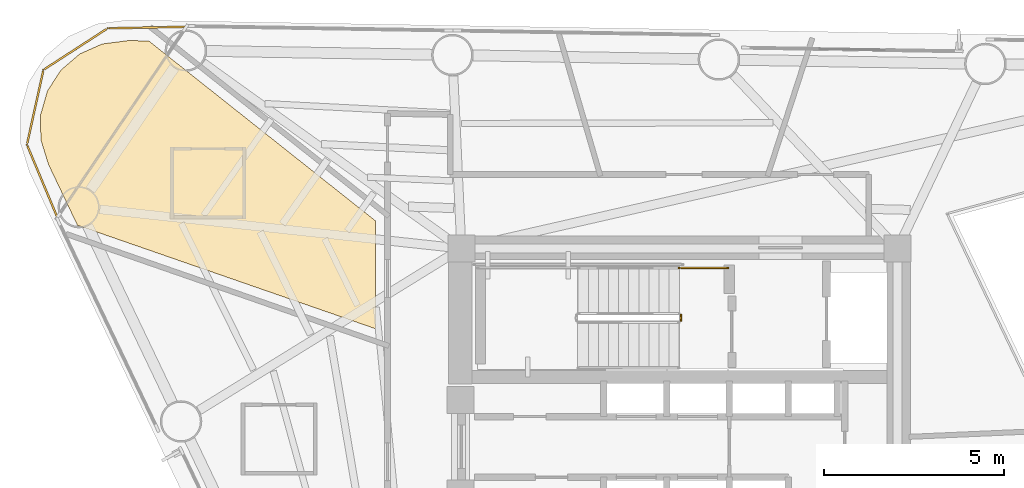
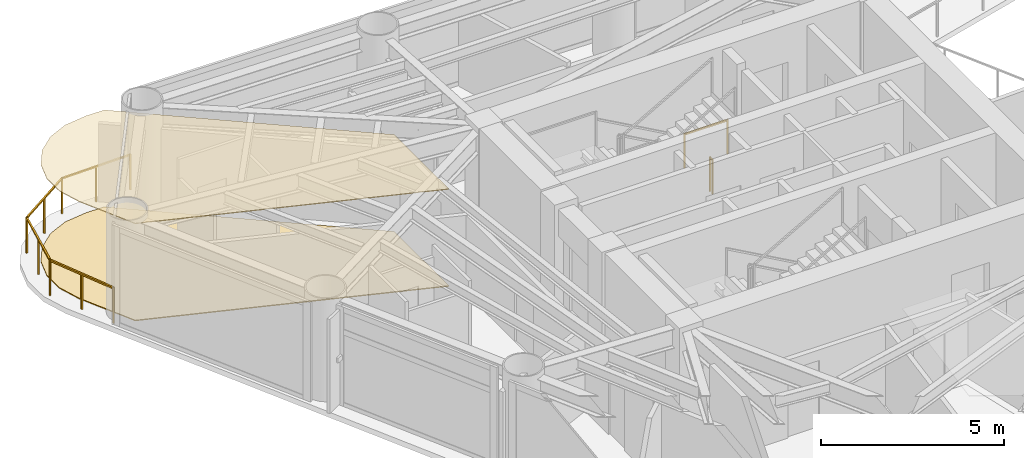
# One storey, part 8 of 9: 3 railings, 2 coverings.
"""IFC4 building model written with IfcOpenShell, lengths in metres."""

from ifc_helpers import new_model, si_unit, direction, frame, origin, origin_2d, place, context, subcontext, project, spatial, polyline, rectangle, outline, extrude, material, layer, layer_set, type_object, element, save


model = new_model("IFC4")

# Units and contexts
model_context = context("Model", 3, precision=1e-05, world=origin(), true_north=direction((0.0, 1.0)))
body_context = subcontext(model_context, "Body", "Model", "MODEL_VIEW")
ifc_project = project(units=[si_unit("LENGTHUNIT", "METRE"), si_unit("AREAUNIT", "SQUARE_METRE"), si_unit("VOLUMEUNIT", "CUBIC_METRE"), si_unit("PLANEANGLEUNIT", "RADIAN"), si_unit("MASSUNIT", "GRAM", prefix="KILO")], contexts=[model_context])

# Site, building, storey
site_placement = place(None, origin())
site = spatial("IfcSite", under=ifc_project, at=site_placement, CompositionType="ELEMENT")
building_placement = place(site_placement, origin())
building = spatial("IfcBuilding", under=site, at=building_placement, Name="Yunling Apex Tower", CompositionType="ELEMENT")
storey_placement = place(building_placement, frame((0.0, 0.0, 201.800048828125)))
storey = spatial("IfcBuildingStorey", under=building, at=storey_placement, Name="L49", CompositionType="ELEMENT", Elevation=201.800048828125)

# Coverings
ifc_material_1 = material(Name="Acoustic mineral fibre ceiling")
ifc_layer_1 = layer(ifc_material_1, 0.02490234375)
ifc_layer_set_1 = layer_set([ifc_layer_1], Name="Acoustic mineral fibre ceiling")
covering_type_1 = type_object("IfcCoveringType", Name="CV-CLG-1", PredefinedType="CEILING", material=ifc_layer_set_1)
covering_1_placement = place(storey_placement, frame((0.0, 0.0, 3.244873046875)))
element("IfcCovering", 1, at=covering_1_placement, inside=storey, type_object=covering_type_1, Name="CV-CL-SP-L49-GR08", PredefinedType="CEILING", context=body_context, shape_type="SweptSolid", body=[
    extrude(outline(polyline([(-17.527099609375, 9.868408203125), (-17.15576171875, 10.4462890625), (-16.634521484375, 10.8935546875), (-16.007080078125, 11.1728515625), (-15.2841796875, 11.26611328125), (-14.71875, 11.256591796875), (-8.429931640625, 6.26708984375), (-8.429931640625, 3.275390625), (-16.694091796875, 6.144287109375), (-17.495849609375, 7.8251953125), (-17.711181640625, 8.521484375), (-17.717529296875, 9.208251953125), (-17.527099609375, 9.868408203125)])), origin(), (0.0, 0.0, 1.0), 0.025146484375),
])
ifc_material_2 = material(Name="Polished granite stone", Category="masonry")
ifc_layer_2 = layer(ifc_material_2, 0.030029296875)
ifc_layer_set_2 = layer_set([ifc_layer_2], Name="Polished granite stone")
covering_type_2 = type_object("IfcCoveringType", Name="CV-FLR-1", PredefinedType="FLOORING", material=ifc_layer_set_2)
covering_2_placement = place(storey_placement, origin())
element("IfcCovering", 2, at=covering_2_placement, inside=storey, type_object=covering_type_2, Name="CV-FL-SP-L49-GR08", PredefinedType="FLOORING", context=body_context, shape_type="SweptSolid", body=[
    extrude(outline(polyline([(-17.527099609375, 9.868408203125), (-17.15576171875, 10.4462890625), (-16.634521484375, 10.8935546875), (-16.007080078125, 11.1728515625), (-15.2841796875, 11.26611328125), (-14.71875, 11.256591796875), (-8.429931640625, 6.26708984375), (-8.429931640625, 3.275390625), (-16.694091796875, 6.144287109375), (-17.495849609375, 7.8251953125), (-17.711181640625, 8.521484375), (-17.717529296875, 9.208251953125), (-17.527099609375, 9.868408203125)])), origin(), (0.0, 0.0, 1.0), 0.030029296875),
])

# Railings
ifc_material_3 = material(Name="Bronze anodised aluminium", Category="aluminium")
railing_type_1 = type_object("IfcRailingType", Name="RL-BAL-1200", PredefinedType="BALUSTRADE", material=ifc_material_3)
railing_1_placement = place(storey_placement, frame((-17.253662109375, 6.364990234375, 0.0)))
element("IfcRailing", 3, at=railing_1_placement, inside=storey, type_object=railing_type_1, Name="RL-CRNSILL-L49-2", PredefinedType="BALUSTRADE", context=body_context, shape_type="SweptSolid", body=[
    extrude(rectangle(XDim=0.0439453125, YDim=0.0439453125, at=origin_2d()), origin(), (0.0, 0.0, 1.0), 1.199951171875),
    extrude(rectangle(XDim=0.0439453125, YDim=0.0439453125, at=origin_2d()), frame((-0.842529296875, 2.01416015625, 0.0)), (0.0, 0.0, 1.0), 1.199951171875),
    extrude(rectangle(XDim=0.050048828125, YDim=0.050048828125, at=origin_2d()), frame((-0.014892578125, 0.035400390625, 1.1748046875), z_axis=(-0.385901306975, 0.922540070282, 0.0), x_axis=(-0.922540070282, -0.385901306975, 0.0)), (0.0, 0.0, 1.0), 2.106689453125),
    extrude(rectangle(XDim=0.0439453125, YDim=0.0439453125, at=origin_2d()), frame((-0.42138671875, 1.007080078125, 0.0)), (0.0, 0.0, 1.0), 1.14599609375),
    extrude(rectangle(XDim=0.0439453125, YDim=0.0439453125, at=origin_2d()), frame((-0.384521484375, 4.089111328125, 0.0)), (0.0, 0.0, 1.0), 1.199951171875),
    extrude(rectangle(XDim=0.050048828125, YDim=0.050048828125, at=origin_2d()), frame((-0.834228515625, 2.051513671875, 1.1748046875), z_axis=(0.215543386307, 0.976494264509, 0.0), x_axis=(-0.976494264509, 0.215543386307, 0.0)), (0.0, 0.0, 1.0), 2.04833984375),
    extrude(rectangle(XDim=0.0439453125, YDim=0.0439453125, at=origin_2d()), frame((-0.613525390625, 3.0517578125, 0.0)), (0.0, 0.0, 1.0), 1.14599609375),
    extrude(rectangle(XDim=0.0439453125, YDim=0.0439453125, at=origin_2d()), frame((1.393310546875, 5.240234375, 0.0)), (0.0, 0.0, 1.0), 1.199951171875),
    extrude(rectangle(XDim=0.050048828125, YDim=0.050048828125, at=origin_2d()), frame((-0.352294921875, 4.10986328125, 1.1748046875), z_axis=(0.839406208654, 0.543504569322, 0.0), x_axis=(-0.543504569322, 0.839406208654, 0.0)), (0.0, 0.0, 1.0), 2.041259765625),
    extrude(rectangle(XDim=0.0439453125, YDim=0.0439453125, at=origin_2d()), frame((0.50439453125, 4.66455078125, 0.0)), (0.0, 0.0, 1.0), 1.14599609375),
    extrude(rectangle(XDim=0.0439453125, YDim=0.0439453125, at=origin_2d()), frame((3.5771484375, 5.284423828125, 0.0)), (0.0, 0.0, 1.0), 1.199951171875),
    extrude(rectangle(XDim=0.050048828125, YDim=0.050048828125, at=origin_2d()), frame((1.431640625, 5.240966796875, 1.1748046875), z_axis=(0.999795339927, 0.020230626778, 0.0), x_axis=(-0.020230626778, 0.999795339927, 0.0)), (0.0, 0.0, 1.0), 2.107666015625),
    extrude(rectangle(XDim=0.0439453125, YDim=0.0439453125, at=origin_2d()), frame((2.4853515625, 5.26220703125, 0.0)), (0.0, 0.0, 1.0), 1.14599609375),
])
ifc_material_4 = material(Name="Steel Q355B", Category="steel")
railing_type_2 = type_object("IfcRailingType", Name="RL-GRD-1150", PredefinedType="GUARDRAIL", material=ifc_material_4)
railing_2_placement = place(storey_placement, frame((0.0400390625, 3.64990234375, 0.0)))
element("IfcRailing", 4, at=railing_2_placement, inside=storey, type_object=railing_type_2, Name="L49 ST-1 stair guard 5", PredefinedType="GUARDRAIL", context=body_context, shape_type="SweptSolid", body=[
    extrude(rectangle(XDim=0.0439453125, YDim=0.0439453125, at=origin_2d()), origin(), (0.0, 0.0, 1.0), 1.14990234375),
    extrude(rectangle(XDim=0.0439453125, YDim=0.0439453125, at=origin_2d()), frame((0.0, -0.14990234375, 0.0)), (0.0, 0.0, 1.0), 1.14990234375),
    extrude(rectangle(XDim=0.050048828125, YDim=0.050048828125, at=origin_2d()), frame((0.0, -0.038330078125, 1.125), z_axis=(0.0, -1.0, 0.0), x_axis=(1.0, 0.0, 0.0)), (0.0, 0.0, 1.0), 0.0732421875),
])
railing_3_placement = place(storey_placement, frame((1.35009765625, 4.9599609375, 0.0)))
element("IfcRailing", 5, at=railing_3_placement, inside=storey, type_object=railing_type_2, Name="L49 ST-1 stair guard 6", PredefinedType="GUARDRAIL", context=body_context, shape_type="SweptSolid", body=[
    extrude(rectangle(XDim=0.0439453125, YDim=0.0439453125, at=origin_2d()), origin(), (0.0, 0.0, 1.0), 1.14990234375),
    extrude(rectangle(XDim=0.0439453125, YDim=0.0439453125, at=origin_2d()), frame((-1.360107421875, 0.0, 0.0)), (0.0, 0.0, 1.0), 1.14990234375),
    extrude(rectangle(XDim=0.050048828125, YDim=0.050048828125, at=origin_2d()), frame((-0.038330078125, 0.0, 1.125), z_axis=(-1.0, 0.0, 0.0), x_axis=(0.0, -1.0, 0.0)), (0.0, 0.0, 1.0), 1.283447265625),
])

save(model, "model.ifc")
